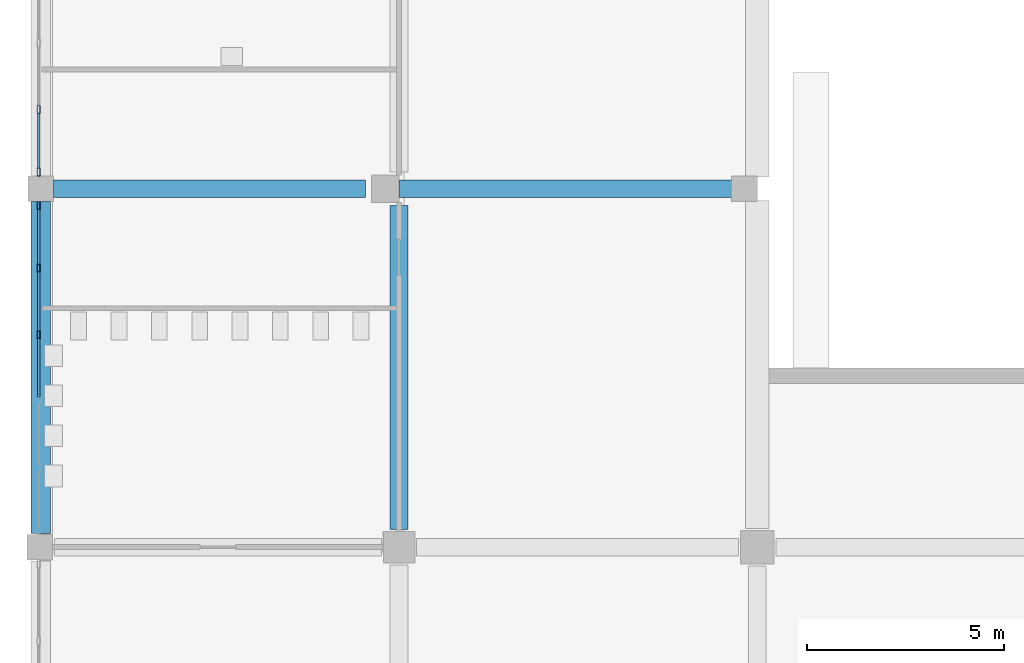
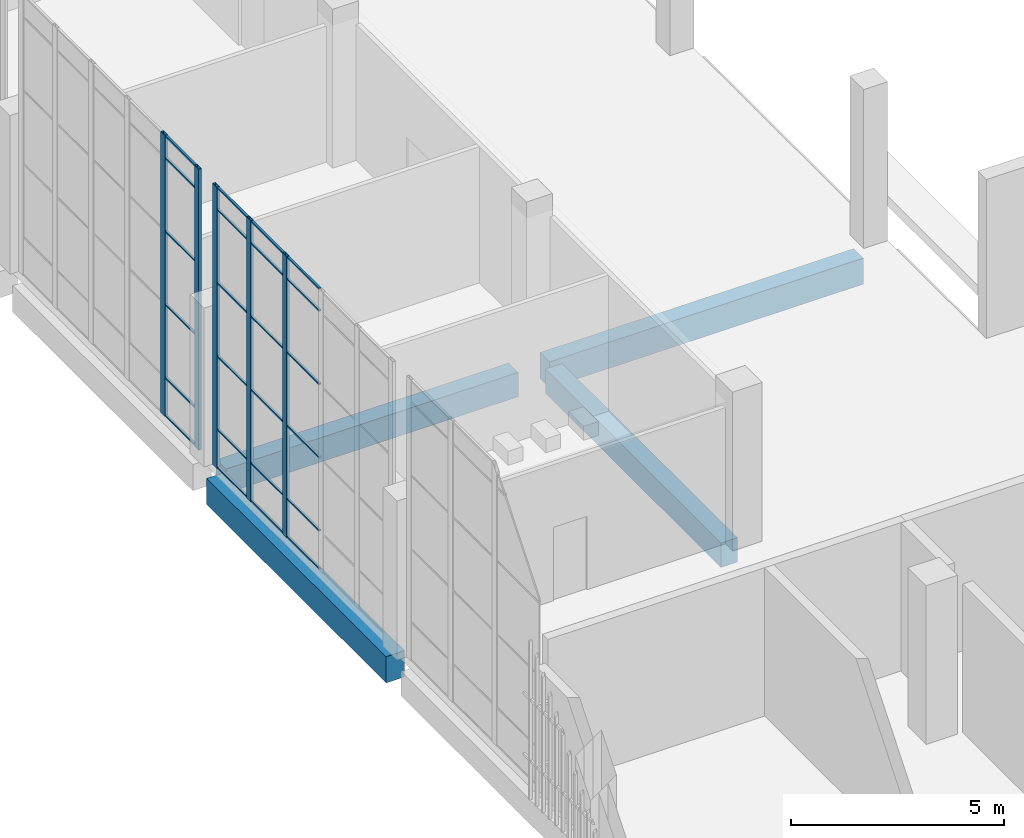
# One storey, part 11 of 126: 29 members, 4 beams, 2 elements without a shape of their own.
"""IFC4 building model written with IfcOpenShell, lengths in metres."""

from ifc_helpers import new_model, si_unit, direction, frame, origin, origin_2d, place, context, subcontext, project, spatial, rectangle, hollow_rectangle, extrude, material, layer, layer_set, material_profile, profile_set, type_object, element, aggregate, save


model = new_model("IFC4")

# Units and contexts
model_context = context("Model", 3, precision=1e-05, world=origin(), true_north=direction((0.0, 1.0)))
body_context = subcontext(model_context, "Body", "Model", "MODEL_VIEW")
ifc_project = project(units=[si_unit("LENGTHUNIT", "METRE"), si_unit("AREAUNIT", "SQUARE_METRE"), si_unit("VOLUMEUNIT", "CUBIC_METRE"), si_unit("PLANEANGLEUNIT", "RADIAN"), si_unit("MASSUNIT", "GRAM", prefix="KILO")], contexts=[model_context])

# Site, building, storey
site_placement = place(None, origin())
site = spatial("IfcSite", under=ifc_project, at=site_placement, CompositionType="ELEMENT")
building_placement = place(site_placement, origin())
building = spatial("IfcBuilding", under=site, at=building_placement, Name="Shirokan Park Arena", CompositionType="ELEMENT")
storey_placement = place(building_placement, frame((0.0, 0.0, 6.3701171875)))
storey = spatial("IfcBuildingStorey", under=building, at=storey_placement, Name="L01", CompositionType="ELEMENT", Elevation=6.3701171875)

# Curtain wall, members
ifc_material_1 = material(Name="Steel and glass curtain wall", Category="steel")
ifc_layer = layer(ifc_material_1, 0.199951171875)
ifc_layer_set = layer_set([ifc_layer], Name="Steel and glass curtain wall 200 mm")
curtain_wall_type = type_object("IfcCurtainWallType", Name="Curtain wall hall bay 200", PredefinedType="NOTDEFINED", material=ifc_layer_set)
curtain_wall_1_placement = place(storey_placement, origin())
curtain_wall_1 = element("IfcCurtainWall", 1, at=curtain_wall_1_placement, inside=storey, type_object=curtain_wall_type, Name="Curtain wall west bay 7 L01", PredefinedType="NOTDEFINED")
ifc_material_2 = material(Name="Steel S355", Category="steel")
ifc_material_profile_1 = material_profile(ifc_material_2, hollow_rectangle(XDim=0.080078125, YDim=0.199951171875, WallThickness=0.008056640625, at=origin_2d()), Name="RHS 200x80x8")
ifc_profile_set_1 = profile_set([ifc_material_profile_1], Name="Steel S355")
member_type_1 = type_object("IfcMemberType", Name="Mullion RHS 200x80x8", PredefinedType="MULLION", material=ifc_profile_set_1)
member_1_placement = place(storey_placement, frame((-0.050048828125, 47.514892578125, 0.0), z_axis=(0.0, 0.0, 1.0), x_axis=(1.0, 0.0, 0.0)))
member_1 = element("IfcMember", 2, at=member_1_placement, type_object=member_type_1, Name="CW5 mullion 5", PredefinedType="MULLION", context=body_context, shape_type="SweptSolid", body=[
    extrude(hollow_rectangle(XDim=0.080078125, YDim=0.199951171875, WallThickness=0.008056640625, at=origin_2d()), origin(), (0.0, 0.0, 1.0), 8.0498046875),
])
member_2_placement = place(storey_placement, frame((-0.050048828125, 45.925048828125, 0.0), z_axis=(0.0, 0.0, 1.0), x_axis=(1.0, 0.0, 0.0)))
member_2 = element("IfcMember", 3, at=member_2_placement, type_object=member_type_1, Name="CW5 mullion 6", PredefinedType="MULLION", context=body_context, shape_type="SweptSolid", body=[
    extrude(hollow_rectangle(XDim=0.080078125, YDim=0.199951171875, WallThickness=0.008056640625, at=origin_2d()), origin(), (0.0, 0.0, 1.0), 8.0498046875),
])

curtain_wall_2_placement = place(storey_placement, origin())
curtain_wall_2 = element("IfcCurtainWall", 4, at=curtain_wall_2_placement, inside=storey, type_object=curtain_wall_type, Name="Curtain wall west bay 8 L01", PredefinedType="NOTDEFINED")
member_3_placement = place(storey_placement, frame((-0.050048828125, 45.074951171875, 0.0), z_axis=(0.0, 0.0, 1.0), x_axis=(1.0, 0.0, 0.0)))
member_3 = element("IfcMember", 5, at=member_3_placement, type_object=member_type_1, Name="CW5 mullion 1", PredefinedType="MULLION", context=body_context, shape_type="SweptSolid", body=[
    extrude(hollow_rectangle(XDim=0.080078125, YDim=0.199951171875, WallThickness=0.008056640625, at=origin_2d()), origin(), (0.0, 0.0, 1.0), 8.0498046875),
])
member_4_placement = place(storey_placement, frame((-0.050048828125, 43.485107421875, 0.0), z_axis=(0.0, 0.0, 1.0), x_axis=(1.0, 0.0, 0.0)))
member_4 = element("IfcMember", 6, at=member_4_placement, type_object=member_type_1, Name="CW5 mullion 2", PredefinedType="MULLION", context=body_context, shape_type="SweptSolid", body=[
    extrude(hollow_rectangle(XDim=0.080078125, YDim=0.199951171875, WallThickness=0.008056640625, at=origin_2d()), origin(), (0.0, 0.0, 1.0), 8.0498046875),
])
member_5_placement = place(storey_placement, frame((-0.050048828125, 41.794921875, 0.0), z_axis=(0.0, 0.0, 1.0), x_axis=(1.0, 0.0, 0.0)))
member_5 = element("IfcMember", 7, at=member_5_placement, type_object=member_type_1, Name="CW5 mullion 3", PredefinedType="MULLION", context=body_context, shape_type="SweptSolid", body=[
    extrude(hollow_rectangle(XDim=0.080078125, YDim=0.199951171875, WallThickness=0.008056640625, at=origin_2d()), origin(), (0.0, 0.0, 1.0), 8.0498046875),
])

# Beams
ifc_material_3 = material(Name="Concrete C35", Category="concrete")
ifc_material_profile_2 = material_profile(ifc_material_3, rectangle(XDim=0.449951171875, YDim=0.699951171875, at=origin_2d()), Name="450x700")
ifc_profile_set_2 = profile_set([ifc_material_profile_2], Name="Concrete C35")
beam_type_1 = type_object("IfcBeamType", Name="RC girder 450x700", PredefinedType="BEAM", material=ifc_profile_set_2)
beam_1_placement = place(storey_placement, frame((0.3251953125, 45.5, -0.7001953125), z_axis=(1.0, 0.0, 0.0), x_axis=(0.0, 1.0, 0.0)))
element("IfcBeam", 8, at=beam_1_placement, inside=storey, type_object=beam_type_1, Name="Girder 1F-2F L01", PredefinedType="BEAM", context=body_context, shape_type="SweptSolid", body=[
    extrude(rectangle(XDim=0.449951171875, YDim=0.699951171875, at=origin_2d()), origin(), (0.0, 0.0, 1.0), 7.9248046875),
])
beam_2_placement = place(storey_placement, frame((9.10009765625, 36.85009765625, -0.7001953125), z_axis=(0.0, 1.0, 0.0), x_axis=(-1.0, 0.0, 0.0)))
element("IfcBeam", 9, at=beam_2_placement, inside=storey, type_object=beam_type_1, Name="Girder 2E-2F L01", PredefinedType="BEAM", context=body_context, shape_type="SweptSolid", body=[
    extrude(rectangle(XDim=0.449951171875, YDim=0.699951171875, at=origin_2d()), origin(), (0.0, 0.0, 1.0), 8.224853515625),
])
ifc_material_profile_3 = material_profile(ifc_material_3, rectangle(XDim=0.449951171875, YDim=0.75, at=origin_2d()), Name="450x750")
ifc_profile_set_3 = profile_set([ifc_material_profile_3], Name="Concrete C35")
beam_type_2 = type_object("IfcBeamType", Name="RC girder 450x750", PredefinedType="BEAM", material=ifc_profile_set_3)
beam_3_placement = place(storey_placement, frame((9.10009765625, 45.5, -0.72509765625), z_axis=(1.0, 0.0, 0.0), x_axis=(0.0, 1.0, 0.0)))
element("IfcBeam", 10, at=beam_3_placement, inside=storey, type_object=beam_type_2, Name="Girder 2F-3F L01", PredefinedType="BEAM", context=body_context, shape_type="SweptSolid", body=[
    extrude(rectangle(XDim=0.449951171875, YDim=0.75, at=origin_2d()), origin(), (0.0, 0.0, 1.0), 8.499755859375),
])
ifc_material_profile_4 = material_profile(ifc_material_3, rectangle(XDim=0.5, YDim=0.75, at=origin_2d()), Name="500x750")
ifc_profile_set_4 = profile_set([ifc_material_profile_4], Name="Concrete C35")
beam_type_3 = type_object("IfcBeamType", Name="RC girder 500x750", PredefinedType="BEAM", material=ifc_profile_set_4)
beam_4_placement = place(storey_placement, frame((0.0, 36.75, -0.72509765625), z_axis=(0.0, 1.0, 0.0), x_axis=(-1.0, 0.0, 0.0)))
element("IfcBeam", 11, at=beam_4_placement, inside=storey, type_object=beam_type_3, Name="Girder 1E-1F L01", PredefinedType="BEAM", context=body_context, shape_type="SweptSolid", body=[
    extrude(rectangle(XDim=0.5, YDim=0.75, at=origin_2d()), origin(), (0.0, 0.0, 1.0), 8.4248046875),
])

# Member
ifc_material_profile_5 = material_profile(ifc_material_2, hollow_rectangle(XDim=0.06005859375, YDim=0.0400390625, WallThickness=0.00390625, at=origin_2d()), Name="RHS 60x40x4")
ifc_profile_set_5 = profile_set([ifc_material_profile_5], Name="Steel S355")
member_type_2 = type_object("IfcMemberType", Name="Transom RHS 60x40x4", PredefinedType="MULLION", material=ifc_profile_set_5)
member_6_placement = place(storey_placement, frame((-0.050048828125, 47.4150390625, 0.019775390625), z_axis=(0.0, -1.0, 0.0), x_axis=(1.0, 0.0, 0.0)))
member_6 = element("IfcMember", 12, at=member_6_placement, type_object=member_type_2, Name="CW5 transom 5.1", PredefinedType="MULLION", context=body_context, shape_type="SweptSolid", body=[
    extrude(hollow_rectangle(XDim=0.06005859375, YDim=0.0400390625, WallThickness=0.00390625, at=origin_2d()), origin(), (0.0, 0.0, 1.0), 1.39013671875),
])

member_7_placement = place(storey_placement, frame((-0.050048828125, 47.4150390625, 1.099853515625), z_axis=(0.0, -1.0, 0.0), x_axis=(1.0, 0.0, 0.0)))
member_7 = element("IfcMember", 13, at=member_7_placement, type_object=member_type_2, Name="CW5 transom 5.2", PredefinedType="MULLION", context=body_context, shape_type="SweptSolid", body=[
    extrude(hollow_rectangle(XDim=0.06005859375, YDim=0.0400390625, WallThickness=0.00390625, at=origin_2d()), origin(), (0.0, 0.0, 1.0), 1.39013671875),
])

member_8_placement = place(storey_placement, frame((-0.050048828125, 47.4150390625, 3.199951171875), z_axis=(0.0, -1.0, 0.0), x_axis=(1.0, 0.0, 0.0)))
member_8 = element("IfcMember", 14, at=member_8_placement, type_object=member_type_2, Name="CW5 transom 5.3", PredefinedType="MULLION", context=body_context, shape_type="SweptSolid", body=[
    extrude(hollow_rectangle(XDim=0.06005859375, YDim=0.0400390625, WallThickness=0.00390625, at=origin_2d()), origin(), (0.0, 0.0, 1.0), 1.39013671875),
])

member_9_placement = place(storey_placement, frame((-0.050048828125, 47.4150390625, 5.2998046875), z_axis=(0.0, -1.0, 0.0), x_axis=(1.0, 0.0, 0.0)))
member_9 = element("IfcMember", 15, at=member_9_placement, type_object=member_type_2, Name="CW5 transom 5.4", PredefinedType="MULLION", context=body_context, shape_type="SweptSolid", body=[
    extrude(hollow_rectangle(XDim=0.06005859375, YDim=0.0400390625, WallThickness=0.00390625, at=origin_2d()), origin(), (0.0, 0.0, 1.0), 1.39013671875),
])

member_10_placement = place(storey_placement, frame((-0.050048828125, 47.4150390625, 7.39990234375), z_axis=(0.0, -1.0, 0.0), x_axis=(1.0, 0.0, 0.0)))
member_10 = element("IfcMember", 16, at=member_10_placement, type_object=member_type_2, Name="CW5 transom 5.5", PredefinedType="MULLION", context=body_context, shape_type="SweptSolid", body=[
    extrude(hollow_rectangle(XDim=0.06005859375, YDim=0.0400390625, WallThickness=0.00390625, at=origin_2d()), origin(), (0.0, 0.0, 1.0), 1.39013671875),
])

member_11_placement = place(storey_placement, frame((-0.050048828125, 47.4150390625, 8.02978515625), z_axis=(0.0, -1.0, 0.0), x_axis=(1.0, 0.0, 0.0)))
member_11 = element("IfcMember", 17, at=member_11_placement, type_object=member_type_2, Name="CW5 transom 5.6", PredefinedType="MULLION", context=body_context, shape_type="SweptSolid", body=[
    extrude(hollow_rectangle(XDim=0.06005859375, YDim=0.0400390625, WallThickness=0.00390625, at=origin_2d()), origin(), (0.0, 0.0, 1.0), 1.39013671875),
])

aggregate(curtain_wall_1, [member_1, member_2, member_6, member_7, member_8, member_9, member_10, member_11])

member_12_placement = place(storey_placement, frame((-0.050048828125, 44.97509765625, 0.019775390625), z_axis=(0.0, -1.0, 0.0), x_axis=(1.0, 0.0, 0.0)))
member_12 = element("IfcMember", 18, at=member_12_placement, type_object=member_type_2, Name="CW5 transom 1.1", PredefinedType="MULLION", context=body_context, shape_type="SweptSolid", body=[
    extrude(hollow_rectangle(XDim=0.06005859375, YDim=0.0400390625, WallThickness=0.00390625, at=origin_2d()), origin(), (0.0, 0.0, 1.0), 1.39013671875),
])

member_13_placement = place(storey_placement, frame((-0.050048828125, 44.97509765625, 1.099853515625), z_axis=(0.0, -1.0, 0.0), x_axis=(1.0, 0.0, 0.0)))
member_13 = element("IfcMember", 19, at=member_13_placement, type_object=member_type_2, Name="CW5 transom 1.2", PredefinedType="MULLION", context=body_context, shape_type="SweptSolid", body=[
    extrude(hollow_rectangle(XDim=0.06005859375, YDim=0.0400390625, WallThickness=0.00390625, at=origin_2d()), origin(), (0.0, 0.0, 1.0), 1.39013671875),
])

member_14_placement = place(storey_placement, frame((-0.050048828125, 44.97509765625, 3.199951171875), z_axis=(0.0, -1.0, 0.0), x_axis=(1.0, 0.0, 0.0)))
member_14 = element("IfcMember", 20, at=member_14_placement, type_object=member_type_2, Name="CW5 transom 1.3", PredefinedType="MULLION", context=body_context, shape_type="SweptSolid", body=[
    extrude(hollow_rectangle(XDim=0.06005859375, YDim=0.0400390625, WallThickness=0.00390625, at=origin_2d()), origin(), (0.0, 0.0, 1.0), 1.39013671875),
])

member_15_placement = place(storey_placement, frame((-0.050048828125, 44.97509765625, 5.2998046875), z_axis=(0.0, -1.0, 0.0), x_axis=(1.0, 0.0, 0.0)))
member_15 = element("IfcMember", 21, at=member_15_placement, type_object=member_type_2, Name="CW5 transom 1.4", PredefinedType="MULLION", context=body_context, shape_type="SweptSolid", body=[
    extrude(hollow_rectangle(XDim=0.06005859375, YDim=0.0400390625, WallThickness=0.00390625, at=origin_2d()), origin(), (0.0, 0.0, 1.0), 1.39013671875),
])

member_16_placement = place(storey_placement, frame((-0.050048828125, 44.97509765625, 7.39990234375), z_axis=(0.0, -1.0, 0.0), x_axis=(1.0, 0.0, 0.0)))
member_16 = element("IfcMember", 22, at=member_16_placement, type_object=member_type_2, Name="CW5 transom 1.5", PredefinedType="MULLION", context=body_context, shape_type="SweptSolid", body=[
    extrude(hollow_rectangle(XDim=0.06005859375, YDim=0.0400390625, WallThickness=0.00390625, at=origin_2d()), origin(), (0.0, 0.0, 1.0), 1.39013671875),
])

member_17_placement = place(storey_placement, frame((-0.050048828125, 44.97509765625, 8.02978515625), z_axis=(0.0, -1.0, 0.0), x_axis=(1.0, 0.0, 0.0)))
member_17 = element("IfcMember", 23, at=member_17_placement, type_object=member_type_2, Name="CW5 transom 1.6", PredefinedType="MULLION", context=body_context, shape_type="SweptSolid", body=[
    extrude(hollow_rectangle(XDim=0.06005859375, YDim=0.0400390625, WallThickness=0.00390625, at=origin_2d()), origin(), (0.0, 0.0, 1.0), 1.39013671875),
])

member_18_placement = place(storey_placement, frame((-0.050048828125, 43.385009765625, 0.019775390625), z_axis=(0.0, -1.0, 0.0), x_axis=(1.0, 0.0, 0.0)))
member_18 = element("IfcMember", 24, at=member_18_placement, type_object=member_type_2, Name="CW5 transom 2.1", PredefinedType="MULLION", context=body_context, shape_type="SweptSolid", body=[
    extrude(hollow_rectangle(XDim=0.06005859375, YDim=0.0400390625, WallThickness=0.00390625, at=origin_2d()), origin(), (0.0, 0.0, 1.0), 1.489990234375),
])

member_19_placement = place(storey_placement, frame((-0.050048828125, 43.385009765625, 1.099853515625), z_axis=(0.0, -1.0, 0.0), x_axis=(1.0, 0.0, 0.0)))
member_19 = element("IfcMember", 25, at=member_19_placement, type_object=member_type_2, Name="CW5 transom 2.2", PredefinedType="MULLION", context=body_context, shape_type="SweptSolid", body=[
    extrude(hollow_rectangle(XDim=0.06005859375, YDim=0.0400390625, WallThickness=0.00390625, at=origin_2d()), origin(), (0.0, 0.0, 1.0), 1.489990234375),
])

member_20_placement = place(storey_placement, frame((-0.050048828125, 43.385009765625, 3.199951171875), z_axis=(0.0, -1.0, 0.0), x_axis=(1.0, 0.0, 0.0)))
member_20 = element("IfcMember", 26, at=member_20_placement, type_object=member_type_2, Name="CW5 transom 2.3", PredefinedType="MULLION", context=body_context, shape_type="SweptSolid", body=[
    extrude(hollow_rectangle(XDim=0.06005859375, YDim=0.0400390625, WallThickness=0.00390625, at=origin_2d()), origin(), (0.0, 0.0, 1.0), 1.489990234375),
])

member_21_placement = place(storey_placement, frame((-0.050048828125, 43.385009765625, 5.2998046875), z_axis=(0.0, -1.0, 0.0), x_axis=(1.0, 0.0, 0.0)))
member_21 = element("IfcMember", 27, at=member_21_placement, type_object=member_type_2, Name="CW5 transom 2.4", PredefinedType="MULLION", context=body_context, shape_type="SweptSolid", body=[
    extrude(hollow_rectangle(XDim=0.06005859375, YDim=0.0400390625, WallThickness=0.00390625, at=origin_2d()), origin(), (0.0, 0.0, 1.0), 1.489990234375),
])

member_22_placement = place(storey_placement, frame((-0.050048828125, 43.385009765625, 7.39990234375), z_axis=(0.0, -1.0, 0.0), x_axis=(1.0, 0.0, 0.0)))
member_22 = element("IfcMember", 28, at=member_22_placement, type_object=member_type_2, Name="CW5 transom 2.5", PredefinedType="MULLION", context=body_context, shape_type="SweptSolid", body=[
    extrude(hollow_rectangle(XDim=0.06005859375, YDim=0.0400390625, WallThickness=0.00390625, at=origin_2d()), origin(), (0.0, 0.0, 1.0), 1.489990234375),
])

member_23_placement = place(storey_placement, frame((-0.050048828125, 43.385009765625, 8.02978515625), z_axis=(0.0, -1.0, 0.0), x_axis=(1.0, 0.0, 0.0)))
member_23 = element("IfcMember", 29, at=member_23_placement, type_object=member_type_2, Name="CW5 transom 2.6", PredefinedType="MULLION", context=body_context, shape_type="SweptSolid", body=[
    extrude(hollow_rectangle(XDim=0.06005859375, YDim=0.0400390625, WallThickness=0.00390625, at=origin_2d()), origin(), (0.0, 0.0, 1.0), 1.489990234375),
])

member_24_placement = place(storey_placement, frame((-0.050048828125, 41.695068359375, 0.019775390625), z_axis=(0.0, -1.0, 0.0), x_axis=(1.0, 0.0, 0.0)))
member_24 = element("IfcMember", 30, at=member_24_placement, type_object=member_type_2, Name="CW5 transom 3.1", PredefinedType="MULLION", context=body_context, shape_type="SweptSolid", body=[
    extrude(hollow_rectangle(XDim=0.06005859375, YDim=0.0400390625, WallThickness=0.00390625, at=origin_2d()), origin(), (0.0, 0.0, 1.0), 1.489990234375),
])

member_25_placement = place(storey_placement, frame((-0.050048828125, 41.695068359375, 1.099853515625), z_axis=(0.0, -1.0, 0.0), x_axis=(1.0, 0.0, 0.0)))
member_25 = element("IfcMember", 31, at=member_25_placement, type_object=member_type_2, Name="CW5 transom 3.2", PredefinedType="MULLION", context=body_context, shape_type="SweptSolid", body=[
    extrude(hollow_rectangle(XDim=0.06005859375, YDim=0.0400390625, WallThickness=0.00390625, at=origin_2d()), origin(), (0.0, 0.0, 1.0), 1.489990234375),
])

member_26_placement = place(storey_placement, frame((-0.050048828125, 41.695068359375, 3.199951171875), z_axis=(0.0, -1.0, 0.0), x_axis=(1.0, 0.0, 0.0)))
member_26 = element("IfcMember", 32, at=member_26_placement, type_object=member_type_2, Name="CW5 transom 3.3", PredefinedType="MULLION", context=body_context, shape_type="SweptSolid", body=[
    extrude(hollow_rectangle(XDim=0.06005859375, YDim=0.0400390625, WallThickness=0.00390625, at=origin_2d()), origin(), (0.0, 0.0, 1.0), 1.489990234375),
])

member_27_placement = place(storey_placement, frame((-0.050048828125, 41.695068359375, 5.2998046875), z_axis=(0.0, -1.0, 0.0), x_axis=(1.0, 0.0, 0.0)))
member_27 = element("IfcMember", 33, at=member_27_placement, type_object=member_type_2, Name="CW5 transom 3.4", PredefinedType="MULLION", context=body_context, shape_type="SweptSolid", body=[
    extrude(hollow_rectangle(XDim=0.06005859375, YDim=0.0400390625, WallThickness=0.00390625, at=origin_2d()), origin(), (0.0, 0.0, 1.0), 1.489990234375),
])

member_28_placement = place(storey_placement, frame((-0.050048828125, 41.695068359375, 7.39990234375), z_axis=(0.0, -1.0, 0.0), x_axis=(1.0, 0.0, 0.0)))
member_28 = element("IfcMember", 34, at=member_28_placement, type_object=member_type_2, Name="CW5 transom 3.5", PredefinedType="MULLION", context=body_context, shape_type="SweptSolid", body=[
    extrude(hollow_rectangle(XDim=0.06005859375, YDim=0.0400390625, WallThickness=0.00390625, at=origin_2d()), origin(), (0.0, 0.0, 1.0), 1.489990234375),
])

member_29_placement = place(storey_placement, frame((-0.050048828125, 41.695068359375, 8.02978515625), z_axis=(0.0, -1.0, 0.0), x_axis=(1.0, 0.0, 0.0)))
member_29 = element("IfcMember", 35, at=member_29_placement, type_object=member_type_2, Name="CW5 transom 3.6", PredefinedType="MULLION", context=body_context, shape_type="SweptSolid", body=[
    extrude(hollow_rectangle(XDim=0.06005859375, YDim=0.0400390625, WallThickness=0.00390625, at=origin_2d()), origin(), (0.0, 0.0, 1.0), 1.489990234375),
])

aggregate(curtain_wall_2, [member_3, member_4, member_5, member_12, member_13, member_14, member_15, member_16, member_17, member_18, member_19, member_20, member_21, member_22, member_23, member_24, member_25, member_26, member_27, member_28, member_29])

save(model, "model.ifc")
